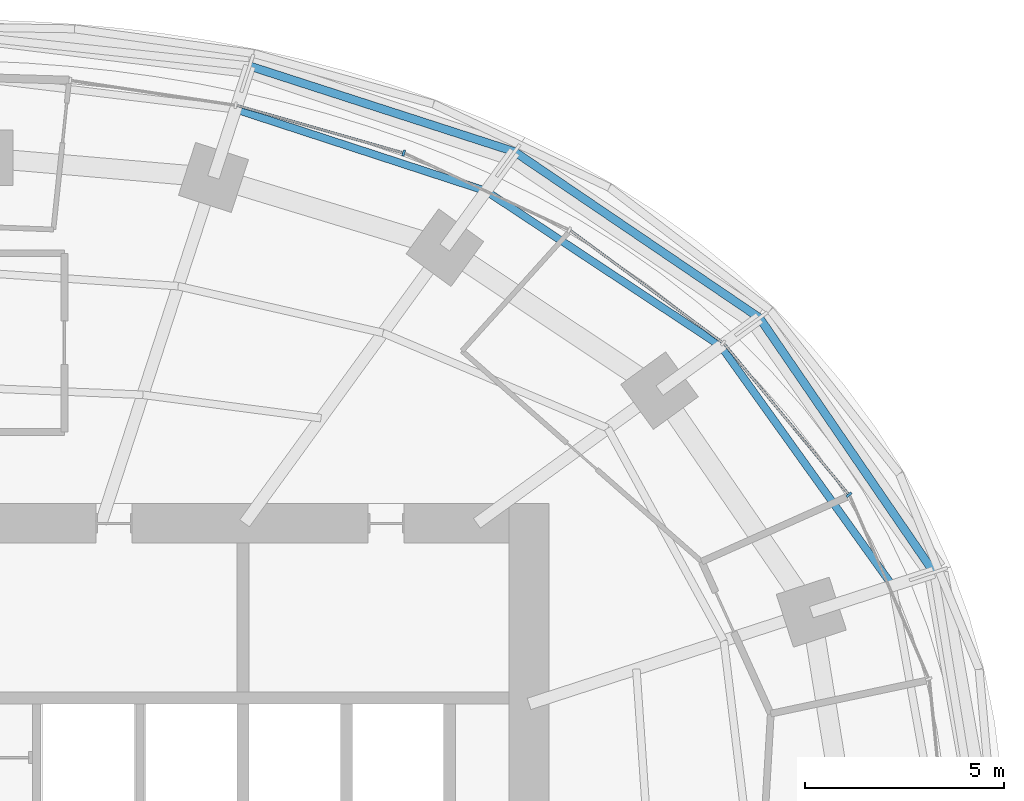
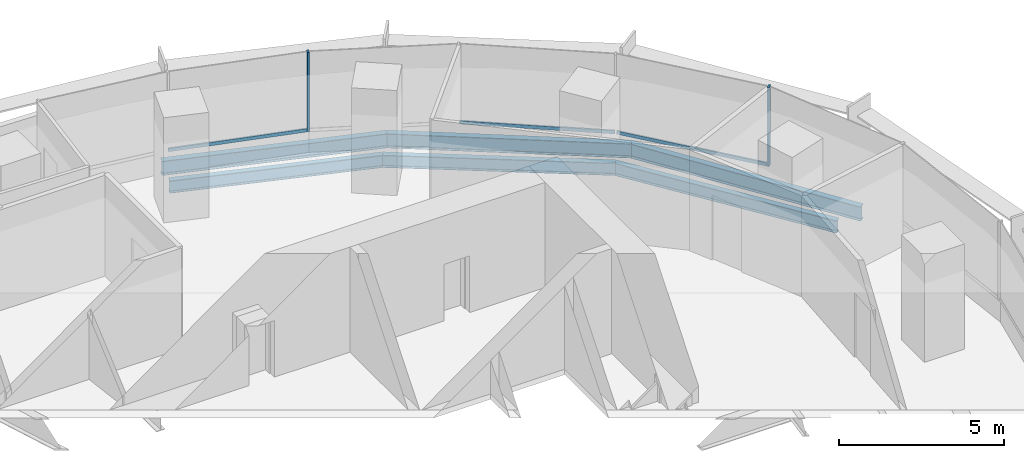
# One storey, part 9 of 17: 6 beams, 5 members, 2 elements without a shape of their own.
"""IFC4 building model written with IfcOpenShell, lengths in metres."""

from ifc_helpers import new_model, si_unit, direction, frame, origin, origin_2d, place, context, subcontext, project, spatial, rectangle, i_section, extrude, material, material_profile, profile_set, type_object, element, aggregate, save


model = new_model("IFC4")

# Units and contexts
model_context = context("Model", 3, precision=1e-05, world=origin(), true_north=direction((0.0, 1.0)))
body_context = subcontext(model_context, "Body", "Model", "MODEL_VIEW")
ifc_project = project(units=[si_unit("LENGTHUNIT", "METRE"), si_unit("AREAUNIT", "SQUARE_METRE"), si_unit("VOLUMEUNIT", "CUBIC_METRE"), si_unit("PLANEANGLEUNIT", "RADIAN"), si_unit("MASSUNIT", "GRAM", prefix="KILO")], contexts=[model_context])

# Site, building, storey
site_placement = place(None, origin())
site = spatial("IfcSite", under=ifc_project, at=site_placement, CompositionType="ELEMENT")
building_placement = place(site_placement, origin())
building = spatial("IfcBuilding", under=site, at=building_placement, Name="Marramba Exchange Tower", CompositionType="ELEMENT")
storey_placement = place(building_placement, frame((0.0, 0.0, 172.10009765625)))
storey = spatial("IfcBuildingStorey", under=building, at=storey_placement, Name="L41", CompositionType="ELEMENT", Elevation=172.10009765625)

# Curtain wall, member
ifc_material_1 = material(Name="Aluminium framing, bronze anodised", Category="aluminium")
curtain_wall_type = type_object("IfcCurtainWallType", Name="Office ribbon curtain wall", PredefinedType="USERDEFINED", material=ifc_material_1)
curtain_wall_1_placement = place(storey_placement, origin())
curtain_wall_1 = element("IfcCurtainWall", 1, at=curtain_wall_1_placement, inside=storey, type_object=curtain_wall_type, Name="Curtain wall CW4 L41 F01-F05", ObjectType="RIBBON CURTAIN WALL", PredefinedType="USERDEFINED")
ifc_material_2 = material(Name="Aluminium mullion, bronze anodised", Category="aluminium")
ifc_material_profile_1 = material_profile(ifc_material_2, rectangle(XDim=0.159912109375, YDim=0.06005859375, at=origin_2d()), Name="CW4 mullion 60x160")
ifc_profile_set_1 = profile_set([ifc_material_profile_1], Name="Aluminium mullion, bronze anodised")
member_type_1 = type_object("IfcMemberType", Name="Office ribbon curtain wall mullion", PredefinedType="MULLION", material=ifc_profile_set_1)
member_1_placement = place(storey_placement, frame((21.757080078125, 9.718505859375, 0.7998046875), z_axis=(0.0, 0.0, 1.0), x_axis=(-0.770574258342, -0.637350227411, 0.0)))
member_1 = element("IfcMember", 2, at=member_1_placement, type_object=member_type_1, Name="CW4 mullion 1", PredefinedType="MULLION", context=body_context, shape_type="SweptSolid", body=[
    extrude(rectangle(XDim=0.159912109375, YDim=0.06005859375, at=origin_2d()), origin(), (0.0, 0.0, 1.0), 2.940185546875),
])

curtain_wall_2_placement = place(storey_placement, origin())
curtain_wall_2 = element("IfcCurtainWall", 3, at=curtain_wall_2_placement, inside=storey, type_object=curtain_wall_type, Name="Curtain wall CW4 L41 F06-F07", ObjectType="RIBBON CURTAIN WALL", PredefinedType="USERDEFINED")
member_2_placement = place(storey_placement, frame((10.54541015625, 18.3232421875, 0.7998046875), z_axis=(0.0, 0.0, 1.0), x_axis=(-0.274248164656, -0.961658954195, 0.0)))
member_2 = element("IfcMember", 4, at=member_2_placement, type_object=member_type_1, Name="CW4 mullion 1", PredefinedType="MULLION", context=body_context, shape_type="SweptSolid", body=[
    extrude(rectangle(XDim=0.159912109375, YDim=0.06005859375, at=origin_2d()), origin(), (0.0, 0.0, 1.0), 2.940185546875),
])

# Member
ifc_material_3 = material(Name="Aluminium transom, bronze anodised", Category="aluminium")
ifc_material_profile_2 = material_profile(ifc_material_3, rectangle(XDim=0.06005859375, YDim=0.1201171875, at=origin_2d()), Name="CW4 transom 60x120")
ifc_profile_set_2 = profile_set([ifc_material_profile_2], Name="Aluminium transom, bronze anodised")
member_type_2 = type_object("IfcMemberType", Name="Office ribbon curtain wall transom", PredefinedType="USERDEFINED", material=ifc_profile_set_2)
member_3_placement = place(storey_placement, frame((21.73779296875, 9.74169921875, 0.829833984375), z_axis=(-0.637375191043, 0.770553609973, 0.0), x_axis=(-0.770553609973, -0.637375191043, 0.0)))
member_3 = element("IfcMember", 5, at=member_3_placement, type_object=member_type_2, Name="CW4 sill transom", ObjectType="TRANSOM", PredefinedType="USERDEFINED", context=body_context, shape_type="SweptSolid", body=[
    extrude(rectangle(XDim=0.06005859375, YDim=0.1201171875, at=origin_2d()), origin(), (0.0, 0.0, 1.0), 4.905517578125),
])

member_4_placement = place(storey_placement, frame((18.56298828125, 13.557373046875, 0.829833984375), z_axis=(-0.804874780157, 0.593444680039, 0.0), x_axis=(-0.593444680039, -0.804874780157, 0.0)))
member_4 = element("IfcMember", 6, at=member_4_placement, type_object=member_type_2, Name="CW4 sill transom", ObjectType="TRANSOM", PredefinedType="USERDEFINED", context=body_context, shape_type="SweptSolid", body=[
    extrude(rectangle(XDim=0.06005859375, YDim=0.1201171875, at=origin_2d()), origin(), (0.0, 0.0, 1.0), 4.745849609375),
])

aggregate(curtain_wall_1, [member_1, member_3, member_4])

member_5_placement = place(storey_placement, frame((10.5166015625, 18.33154296875, 0.829833984375), z_axis=(-0.961661807825, 0.274238158125, 0.0), x_axis=(-0.274238158125, -0.961661807825, 0.0)))
member_5 = element("IfcMember", 7, at=member_5_placement, type_object=member_type_2, Name="CW4 sill transom", ObjectType="TRANSOM", PredefinedType="USERDEFINED", context=body_context, shape_type="SweptSolid", body=[
    extrude(rectangle(XDim=0.06005859375, YDim=0.1201171875, at=origin_2d()), origin(), (0.0, 0.0, 1.0), 4.340087890625),
])

aggregate(curtain_wall_2, [member_2, member_5])

# Beams
ifc_material_4 = material(Name="Steel AS/NZS 3679.1 grade 300", Category="steel")
ifc_material_profile_3 = material_profile(ifc_material_4, i_section(OverallWidth=0.19091796875, OverallDepth=0.4599609375, WebThickness=0.010009765625, FlangeThickness=0.01611328125, FilletRadius=0.011474609375, at=origin_2d()), Name="460UB82.1")
ifc_profile_set_3 = profile_set([ifc_material_profile_3], Name="Steel AS/NZS 3679.1 grade 300")
beam_type_1 = type_object("IfcBeamType", Name="Slab edge beam 460UB82.1", PredefinedType="SPANDREL", material=ifc_profile_set_3)
beam_1_placement = place(storey_placement, frame((22.853515625, 7.425537109375, -0.43017578125), z_axis=(-0.582189457885, 0.813053156398, 0.0), x_axis=(-0.813053156398, -0.582189457885, 0.0)))
element("IfcBeam", 8, at=beam_1_placement, inside=storey, type_object=beam_type_1, Name="Slab edge beam L41 TC02-TC03", PredefinedType="SPANDREL", context=body_context, shape_type="SweptSolid", body=[
    extrude(i_section(OverallWidth=0.19091796875, OverallDepth=0.4599609375, WebThickness=0.010009765625, FlangeThickness=0.01611328125, FilletRadius=0.011474609375, at=origin_2d()), origin(), (0.0, 0.0, 1.0), 7.42578125),
])
beam_2_placement = place(storey_placement, frame((18.5302734375, 13.463134765625, -0.43017578125), z_axis=(-0.834459826117, 0.551068778463, 0.0), x_axis=(-0.551068778463, -0.834459826117, 0.0)))
element("IfcBeam", 9, at=beam_2_placement, inside=storey, type_object=beam_type_1, Name="Slab edge beam L41 TC03-TC04", PredefinedType="SPANDREL", context=body_context, shape_type="SweptSolid", body=[
    extrude(i_section(OverallWidth=0.19091796875, OverallDepth=0.4599609375, WebThickness=0.010009765625, FlangeThickness=0.01611328125, FilletRadius=0.011474609375, at=origin_2d()), origin(), (0.0, 0.0, 1.0), 7.0849609375),
])
beam_3_placement = place(storey_placement, frame((12.6181640625, 17.367431640625, -0.43017578125), z_axis=(-0.950608559101, 0.310392279809, 0.0), x_axis=(-0.310392279809, -0.950608559101, 0.0)))
element("IfcBeam", 10, at=beam_3_placement, inside=storey, type_object=beam_type_1, Name="Slab edge beam L41 TC04-TC05", PredefinedType="SPANDREL", context=body_context, shape_type="SweptSolid", body=[
    extrude(i_section(OverallWidth=0.19091796875, OverallDepth=0.4599609375, WebThickness=0.010009765625, FlangeThickness=0.01611328125, FilletRadius=0.011474609375, at=origin_2d()), origin(), (0.0, 0.0, 1.0), 6.6337890625),
])
ifc_material_profile_4 = material_profile(ifc_material_4, i_section(OverallWidth=0.208984375, OverallDepth=0.528076171875, WebThickness=0.009521484375, FlangeThickness=0.01318359375, FilletRadius=0.013916015625, at=origin_2d()), Name="530UB82.0")
ifc_profile_set_4 = profile_set([ifc_material_profile_4], Name="Steel AS/NZS 3679.1 grade 300")
beam_type_2 = type_object("IfcBeamType", Name="Slab edge beam 530UB82.0", PredefinedType="SPANDREL", material=ifc_profile_set_4)
beam_4_placement = place(storey_placement, frame((23.89501953125, 7.763916015625, -0.51416015625), z_axis=(-0.56517400038, 0.824971726361, 0.0), x_axis=(-0.824971726361, -0.56517400038, 0.0)))
element("IfcBeam", 11, at=beam_4_placement, inside=storey, type_object=beam_type_2, Name="Setback roof edge beam L41 TC02-TC03", PredefinedType="SPANDREL", context=body_context, shape_type="SweptSolid", body=[
    extrude(i_section(OverallWidth=0.208984375, OverallDepth=0.528076171875, WebThickness=0.009521484375, FlangeThickness=0.01318359375, FilletRadius=0.013916015625, at=origin_2d()), origin(), (0.0, 0.0, 1.0), 7.766845703125),
])
beam_5_placement = place(storey_placement, frame((19.50537109375, 14.17138671875, -0.51416015625), z_axis=(-0.827477404833, 0.561499015574, 0.0), x_axis=(-0.561499015574, -0.827477404833, 0.0)))
element("IfcBeam", 12, at=beam_5_placement, inside=storey, type_object=beam_type_2, Name="Setback roof edge beam L41 TC03-TC04", PredefinedType="SPANDREL", context=body_context, shape_type="SweptSolid", body=[
    extrude(i_section(OverallWidth=0.208984375, OverallDepth=0.528076171875, WebThickness=0.009521484375, FlangeThickness=0.01318359375, FilletRadius=0.013916015625, at=origin_2d()), origin(), (0.0, 0.0, 1.0), 7.454345703125),
])
beam_6_placement = place(storey_placement, frame((13.337158203125, 18.35693359375, -0.51416015625), z_axis=(-0.951496392577, 0.307659901373, 0.0), x_axis=(-0.307659901373, -0.951496392577, 0.0)))
element("IfcBeam", 13, at=beam_6_placement, inside=storey, type_object=beam_type_2, Name="Setback roof edge beam L41 TC04-TC05", PredefinedType="SPANDREL", context=body_context, shape_type="SweptSolid", body=[
    extrude(i_section(OverallWidth=0.208984375, OverallDepth=0.528076171875, WebThickness=0.009521484375, FlangeThickness=0.01318359375, FilletRadius=0.013916015625, at=origin_2d()), origin(), (0.0, 0.0, 1.0), 7.01171875),
])

save(model, "model.ifc")
